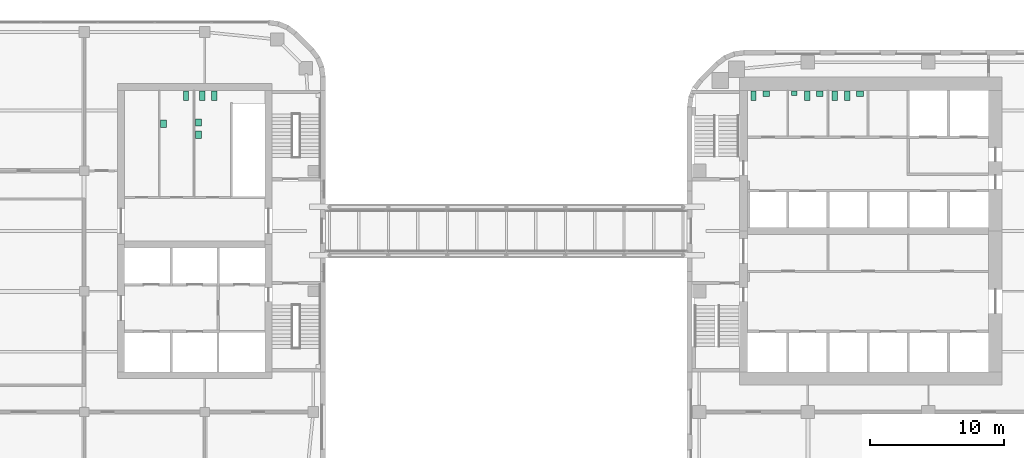
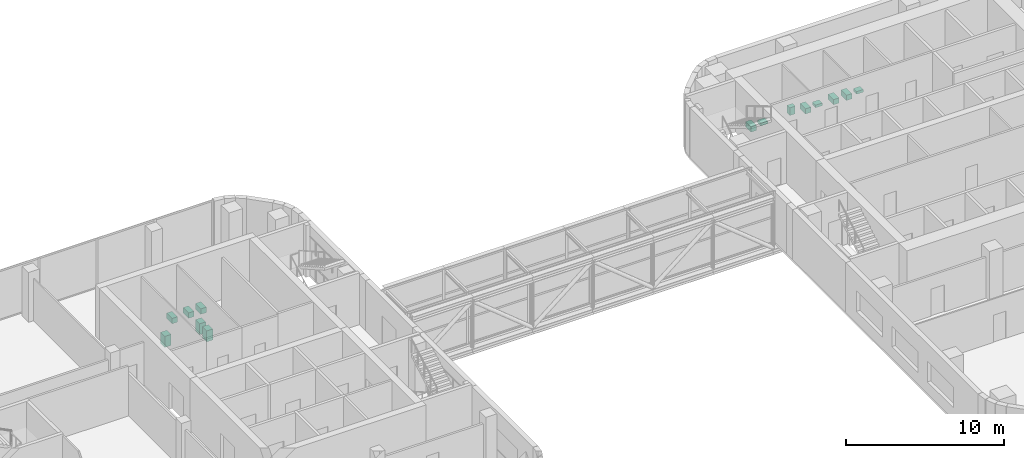
# One storey, part 24 of 24: 14 sanitary terminals.
"""IFC4 building model written with IfcOpenShell, lengths in metres."""

import ifcopenshell
import ifcopenshell.guid

model = None  # the IFC model being written
_history = None  # IfcOwnerHistory: only IFC2X3 demands one
_inside = {}  # id of a spatial element -> (the spatial element, [elements in it])
_under = {}  # id of a project, library or spatial element -> (it, [spatial elements below it])
_declared = {}  # id of a project -> (the project, [libraries it declares])
_typed = {}  # id of a type object -> (the type object, [elements of that type])
_made_of = {}  # id of a material, layer set ... -> (it, [elements and type objects made of it])


def new_model(schema):
    """Start an empty IFC model of exactly this schema.

    Asked for "IFC4X3", IfcOpenShell would pick the latest addendum, in which some entities
    have other attributes; the version numbers below select the first issue.
    IFC2X3 requires an IfcOwnerHistory on every rooted entity: one is made here for all.
    """
    global model, _history
    if schema == "IFC4X3":
        model = ifcopenshell.file(schema_version=(4, 3, 0, 0))
    else:
        model = ifcopenshell.file(schema=schema)
    _inside.clear()
    _under.clear()
    _declared.clear()
    _typed.clear()
    _made_of.clear()
    _history = None
    if model.schema == "IFC2X3":
        org = make("IfcOrganization", Name="unknown")
        user = make(
            "IfcPersonAndOrganization",
            ThePerson=make("IfcPerson", FamilyName="unknown"),
            TheOrganization=org,
        )
        app = make(
            "IfcApplication",
            ApplicationDeveloper=org,
            Version="unknown",
            ApplicationFullName="unknown",
            ApplicationIdentifier="unknown",
        )
        _history = make(
            "IfcOwnerHistory",
            OwningUser=user,
            OwningApplication=app,
            ChangeAction="ADDED",
            CreationDate=0,
        )
    return model


def make(cls, **values):
    """One entity of the class cls with the attributes given. An attribute that is None is left unset."""
    return model.create_entity(
        cls, **{name: value for name, value in values.items() if value is not None}
    )


def rooted(cls, **values):
    """An entity with a GlobalId (a new one), such as an element, a storey or a relation."""
    return make(cls, GlobalId=ifcopenshell.guid.new(), OwnerHistory=_history, **values)


def si_unit(unit_type, name, prefix=None):
    """IfcSIUnit, for example si_unit("LENGTHUNIT", "METRE", prefix="MILLI")."""
    return make("IfcSIUnit", UnitType=unit_type, Prefix=prefix, Name=name)


def assignment(units):
    """IfcUnitAssignment: the units of a project."""
    return None if units is None else make("IfcUnitAssignment", Units=units)


def point(xyz):
    """IfcCartesianPoint."""
    return None if xyz is None else make("IfcCartesianPoint", Coordinates=xyz)


def direction(xyz):
    """IfcDirection."""
    return None if xyz is None else make("IfcDirection", DirectionRatios=xyz)


def frame(location, z_axis=None, x_axis=None):
    """IfcAxis2Placement3D, a coordinate frame: its origin and axes. An axis left out is left unset."""
    return make(
        "IfcAxis2Placement3D",
        Location=point(location),
        Axis=direction(z_axis),
        RefDirection=direction(x_axis),
    )


def frame_2d(location, x_axis=None):
    """IfcAxis2Placement2D, a coordinate frame in the plane: its origin and x axis."""
    return make(
        "IfcAxis2Placement2D", Location=point(location), RefDirection=direction(x_axis)
    )


def origin():
    """The frame at (0, 0, 0) with its axes left unset."""
    return frame((0.0, 0.0, 0.0))


def origin_2d():
    """The frame at (0, 0) in the plane with its x axis left unset."""
    return frame_2d((0.0, 0.0))


def place(relative_to, where):
    """IfcLocalPlacement: puts the frame where relative to a parent placement (None: the world)."""
    return make(
        "IfcLocalPlacement", PlacementRelTo=relative_to, RelativePlacement=where
    )


def context(
    kind, dimensions, precision=None, world=None, true_north=None, identifier=None
):
    """IfcGeometricRepresentationContext, for example the 3D "Model" context."""
    return make(
        "IfcGeometricRepresentationContext",
        ContextIdentifier=identifier,
        ContextType=kind,
        CoordinateSpaceDimension=dimensions,
        Precision=precision,
        WorldCoordinateSystem=world,
        TrueNorth=true_north,
    )


def subcontext(parent, identifier, kind, view, scale=None):
    """IfcGeometricRepresentationSubContext, for example "Body" below "Model"."""
    return make(
        "IfcGeometricRepresentationSubContext",
        ContextIdentifier=identifier,
        ContextType=kind,
        ParentContext=parent,
        TargetScale=scale,
        TargetView=view,
    )


def project(units=None, contexts=None):
    """IfcProject with its units and contexts."""
    return rooted(
        "IfcProject",
        Name="project",
        RepresentationContexts=contexts,
        UnitsInContext=assignment(units),
    )


def spatial(cls, under=None, at=None, **own):
    """A site, building, storey or space (cls), placed at a placement, below another one or the project."""
    s = rooted(cls, ObjectPlacement=at, **own)
    if under is not None:
        _under.setdefault(under.id(), (under, []))[1].append(s)
    return s


def profile(cls, at=None, kind="AREA", **sizes):
    """A parametric profile (cls). Its sizes go by their IFC names, for example OverallWidth=200.0."""
    return make(cls, ProfileType=kind, Position=at, **sizes)


def rectangle(**sizes):
    """IfcRectangleProfileDef."""
    return profile("IfcRectangleProfileDef", **sizes)


def extrude(swept, where, along, depth):
    """IfcExtrudedAreaSolid: the profile swept, set in the frame where, extruded along a direction by depth."""
    return make(
        "IfcExtrudedAreaSolid",
        SweptArea=swept,
        Position=where,
        ExtrudedDirection=direction(along),
        Depth=depth,
    )


def shape(context_of_items, identifier, shape_type, items):
    """IfcShapeRepresentation: the items that make up one representation, for example the "Body"."""
    return make(
        "IfcShapeRepresentation",
        ContextOfItems=context_of_items,
        RepresentationIdentifier=identifier,
        RepresentationType=shape_type,
        Items=items,
    )


def material(Name=None, Category=None):
    """IfcMaterial."""
    return make("IfcMaterial", Name=Name, Category=Category)


def made_of(thing, what):
    """Note that an element or type object is made of a material, layer set ...; save() writes the relation."""
    if what is not None:
        _made_of.setdefault(what.id(), (what, []))[1].append(thing)
    return thing


def type_object(cls, material=None, **own):
    """A type object (cls), such as IfcWallType, which elements share."""
    return made_of(rooted(cls, **own), material)


def element(
    cls,
    number,
    at=None,
    inside=None,
    cuts=None,
    type_object=None,
    material=None,
    context=None,
    identifier="Body",
    shape_type=None,
    held_by="IfcProductDefinitionShape",
    body=None,
    shapes=None,
    **own,
):
    """One element of the class cls, such as IfcWall. Its Tag is "e" and its number.

    at: its placement. inside: the storey or other place that contains it. cuts: it is an
    opening in that element (IfcRelVoidsElement). A single representation is given by context,
    identifier, shape_type and body (its items); several are given by shapes. held_by: the class
    of the entity that holds the representations. save() writes the other relations.
    """
    e = rooted(cls, Tag="e%d" % number, ObjectPlacement=at, **own)
    if body is not None:
        shapes = [shape(context, identifier, shape_type, body)]
    if shapes is not None:
        e.Representation = make(held_by, Representations=shapes)
    if inside is not None:
        _inside.setdefault(inside.id(), (inside, []))[1].append(e)
    if cuts is not None:
        rooted(
            "IfcRelVoidsElement", RelatingBuildingElement=cuts, RelatedOpeningElement=e
        )
    if type_object is not None:
        _typed.setdefault(type_object.id(), (type_object, []))[1].append(e)
    return made_of(e, material)


def aggregate(whole, parts):
    """IfcRelAggregates: a whole, such as a stair, and the parts it consists of."""
    return rooted("IfcRelAggregates", RelatingObject=whole, RelatedObjects=parts)


def save(model, path):
    """Write the relations noted so far, then the file.

    IfcRelAggregates (storeys below a building ...), IfcRelContainedInSpatialStructure (elements
    in a storey), IfcRelDefinesByType, IfcRelAssociatesMaterial and IfcRelDeclares: one each for
    every whole, place, type object, material and project.
    """
    for whole, parts in _under.values():
        aggregate(whole, parts)
    for where, things in _inside.values():
        rooted(
            "IfcRelContainedInSpatialStructure",
            RelatedElements=things,
            RelatingStructure=where,
        )
    for kind, things in _typed.values():
        rooted("IfcRelDefinesByType", RelatedObjects=things, RelatingType=kind)
    for what, things in _made_of.values():
        rooted("IfcRelAssociatesMaterial", RelatedObjects=things, RelatingMaterial=what)
    for by, libraries in _declared.values():
        rooted("IfcRelDeclares", RelatingContext=by, RelatedDefinitions=libraries)
    model.write(path)


model = new_model("IFC4")

# Units and contexts
model_context = context("Model", 3, precision=1e-05, world=origin(), true_north=direction((0.0, 1.0)))
body_context = subcontext(model_context, "Body", "Model", "MODEL_VIEW")
ifc_project = project(units=[si_unit("LENGTHUNIT", "METRE"), si_unit("AREAUNIT", "SQUARE_METRE"), si_unit("VOLUMEUNIT", "CUBIC_METRE"), si_unit("PLANEANGLEUNIT", "RADIAN"), si_unit("MASSUNIT", "GRAM", prefix="KILO")], contexts=[model_context])

# Site, building, storey
site_placement = place(None, origin())
site = spatial("IfcSite", under=ifc_project, at=site_placement, CompositionType="ELEMENT")
building_placement = place(site_placement, origin())
building = spatial("IfcBuilding", under=site, at=building_placement, Name="Cinnabar Reach Civic Tower", CompositionType="ELEMENT")
storey_placement = place(building_placement, frame((0.0, 0.0, 71.0)))
storey = spatial("IfcBuildingStorey", under=building, at=storey_placement, Name="L16", CompositionType="ELEMENT", Elevation=71.0)

# Sanitary terminals
ifc_material = material(Name="Vitreous china")
sanitary_terminal_type_1 = type_object("IfcSanitaryTerminalType", Name="T1 WC pan", PredefinedType="TOILETPAN", material=ifc_material)
for number, where, z_axis, x_axis, name in (
    (1, (4.95, 41.6, 0.0), (0.0, 0.0, 1.0), (1.0, 0.0, 0.0), "T1 WC pan 1607-1"),
    (2, (8.95, 41.6, 0.0), (0.0, 0.0, 1.0), (1.0, 0.0, 0.0), "T1 WC pan 1608-2"),
    (3, (11.0, 41.6, 0.0), (0.0, 0.0, 1.0), (1.0, 0.0, 0.0), "T1 WC pan 1609-1"),
    (4, (11.95, 41.6, 0.0), (0.0, 0.0, 1.0), (1.0, 0.0, 0.0), "T1 WC pan 1609-2"),
):
    element("IfcSanitaryTerminal", number, at=place(storey_placement, frame(where, z_axis=z_axis, x_axis=x_axis)), inside=storey, type_object=sanitary_terminal_type_1, Name=name, PredefinedType="TOILETPAN", context=body_context, shape_type="SweptSolid", body=[
        extrude(rectangle(XDim=0.4, YDim=0.7, at=origin_2d()), origin(), (0.0, 0.0, 1.0), 0.4),
    ])
sanitary_terminal_type_2 = type_object("IfcSanitaryTerminalType", Name="T1 urinal", PredefinedType="URINAL", material=ifc_material)
sanitary_terminal_placement = place(storey_placement, frame((8.0, 41.775, 0.0), z_axis=(0.0, 0.0, 1.0), x_axis=(1.0, 0.0, 0.0)))
element("IfcSanitaryTerminal", 5, at=sanitary_terminal_placement, inside=storey, type_object=sanitary_terminal_type_2, Name="T1 urinal 1608-1", PredefinedType="URINAL", context=body_context, shape_type="SweptSolid", body=[
    extrude(rectangle(XDim=0.4, YDim=0.35, at=origin_2d()), origin(), (0.0, 0.0, 1.0), 0.6),
])
sanitary_terminal_type_3 = type_object("IfcSanitaryTerminalType", Name="T1 wash basin", PredefinedType="WASHHANDBASIN", material=ifc_material)
for number, where, z_axis, x_axis, name in (
    (6, (5.9, 41.74, 0.0), (0.0, 0.0, 1.0), (1.0, 0.0, 0.0), "T1 wash basin 1607-2"),
    (7, (9.9, 41.74, 0.0), (0.0, 0.0, 1.0), (1.0, 0.0, 0.0), "T1 wash basin 1608-3"),
    (8, (12.9, 41.74, 0.0), (0.0, 0.0, 1.0), (1.0, 0.0, 0.0), "T1 wash basin 1609-3"),
):
    element("IfcSanitaryTerminal", number, at=place(storey_placement, frame(where, z_axis=z_axis, x_axis=x_axis)), inside=storey, type_object=sanitary_terminal_type_3, Name=name, PredefinedType="WASHHANDBASIN", context=body_context, shape_type="SweptSolid", body=[
        extrude(rectangle(XDim=0.5, YDim=0.42, at=origin_2d()), origin(), (0.0, 0.0, 1.0), 0.2),
    ])
sanitary_terminal_type_4 = type_object("IfcSanitaryTerminalType", Name="T2 WC pan", PredefinedType="TOILETPAN", material=ifc_material)
for number, where, z_axis, x_axis, name in (
    (9, (-37.4, 41.6, 0.0), (0.0, 0.0, 1.0), (1.0, 0.0, 0.0), "WC pan"),
    (10, (-36.2, 41.6, 0.0), (0.0, 0.0, 1.0), (1.0, 0.0, 0.0), "WC pan"),
    (11, (-35.3, 41.6, 0.0), (0.0, 0.0, 1.0), (1.0, 0.0, 0.0), "WC pan"),
):
    element("IfcSanitaryTerminal", number, at=place(storey_placement, frame(where, z_axis=z_axis, x_axis=x_axis)), inside=storey, type_object=sanitary_terminal_type_4, Name=name, PredefinedType="TOILETPAN", context=body_context, shape_type="SweptSolid", body=[
        extrude(rectangle(XDim=0.4, YDim=0.7, at=origin_2d()), origin(), (0.0, 0.0, 1.0), 0.42),
    ])
sanitary_terminal_type_5 = type_object("IfcSanitaryTerminalType", Name="T2 Wash basin", PredefinedType="WASHHANDBASIN", material=ifc_material)
for number, where, z_axis, x_axis, name in (
    (12, (-39.075, 39.5, 0.0), (0.0, 0.0, 1.0), (1.0, 0.0, 0.0), "Wash basin"),
    (13, (-36.475, 39.6, 0.0), (0.0, 0.0, 1.0), (1.0, 0.0, 0.0), "Wash basin"),
    (14, (-36.475, 38.7, 0.0), (0.0, 0.0, 1.0), (1.0, 0.0, 0.0), "Wash basin"),
):
    element("IfcSanitaryTerminal", number, at=place(storey_placement, frame(where, z_axis=z_axis, x_axis=x_axis)), inside=storey, type_object=sanitary_terminal_type_5, Name=name, PredefinedType="WASHHANDBASIN", context=body_context, shape_type="SweptSolid", body=[
        extrude(rectangle(XDim=0.45, YDim=0.55, at=origin_2d()), origin(), (0.0, 0.0, 1.0), 0.85),
    ])

save(model, "model.ifc")
